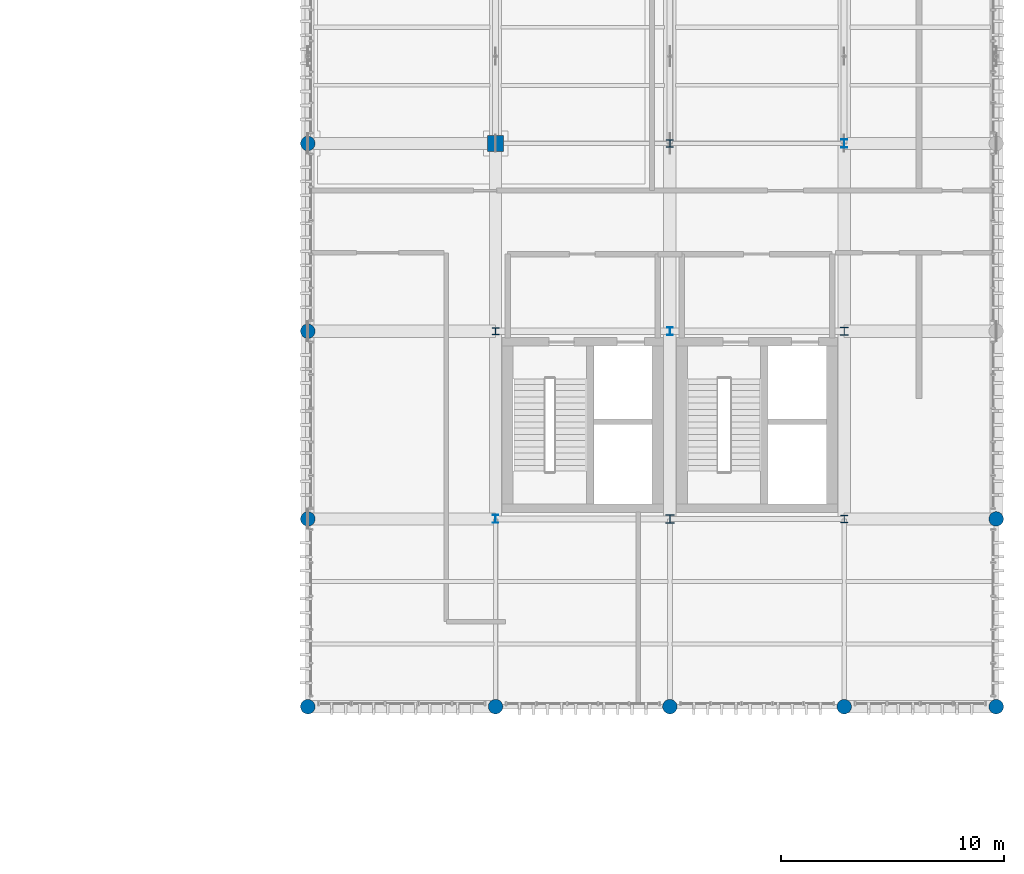
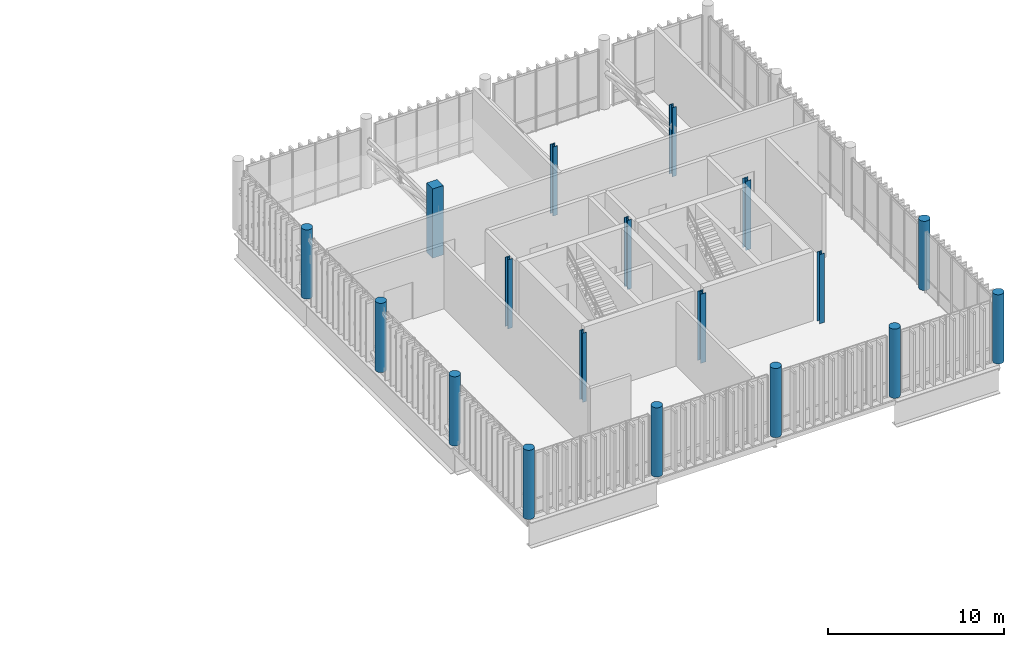
# One storey, part 4 of 81: 18 columns.
"""IFC4 building model written with IfcOpenShell, lengths in metres."""

import ifcopenshell
import ifcopenshell.guid

model = None  # the IFC model being written
_history = None  # IfcOwnerHistory: only IFC2X3 demands one
_inside = {}  # id of a spatial element -> (the spatial element, [elements in it])
_under = {}  # id of a project, library or spatial element -> (it, [spatial elements below it])
_declared = {}  # id of a project -> (the project, [libraries it declares])
_typed = {}  # id of a type object -> (the type object, [elements of that type])
_made_of = {}  # id of a material, layer set ... -> (it, [elements and type objects made of it])


def new_model(schema):
    """Start an empty IFC model of exactly this schema.

    Asked for "IFC4X3", IfcOpenShell would pick the latest addendum, in which some entities
    have other attributes; the version numbers below select the first issue.
    IFC2X3 requires an IfcOwnerHistory on every rooted entity: one is made here for all.
    """
    global model, _history
    if schema == "IFC4X3":
        model = ifcopenshell.file(schema_version=(4, 3, 0, 0))
    else:
        model = ifcopenshell.file(schema=schema)
    _inside.clear()
    _under.clear()
    _declared.clear()
    _typed.clear()
    _made_of.clear()
    _history = None
    if model.schema == "IFC2X3":
        org = make("IfcOrganization", Name="unknown")
        user = make(
            "IfcPersonAndOrganization",
            ThePerson=make("IfcPerson", FamilyName="unknown"),
            TheOrganization=org,
        )
        app = make(
            "IfcApplication",
            ApplicationDeveloper=org,
            Version="unknown",
            ApplicationFullName="unknown",
            ApplicationIdentifier="unknown",
        )
        _history = make(
            "IfcOwnerHistory",
            OwningUser=user,
            OwningApplication=app,
            ChangeAction="ADDED",
            CreationDate=0,
        )
    return model


def make(cls, **values):
    """One entity of the class cls with the attributes given. An attribute that is None is left unset."""
    return model.create_entity(
        cls, **{name: value for name, value in values.items() if value is not None}
    )


def rooted(cls, **values):
    """An entity with a GlobalId (a new one), such as an element, a storey or a relation."""
    return make(cls, GlobalId=ifcopenshell.guid.new(), OwnerHistory=_history, **values)


def si_unit(unit_type, name, prefix=None):
    """IfcSIUnit, for example si_unit("LENGTHUNIT", "METRE", prefix="MILLI")."""
    return make("IfcSIUnit", UnitType=unit_type, Prefix=prefix, Name=name)


def assignment(units):
    """IfcUnitAssignment: the units of a project."""
    return None if units is None else make("IfcUnitAssignment", Units=units)


def point(xyz):
    """IfcCartesianPoint."""
    return None if xyz is None else make("IfcCartesianPoint", Coordinates=xyz)


def direction(xyz):
    """IfcDirection."""
    return None if xyz is None else make("IfcDirection", DirectionRatios=xyz)


def frame(location, z_axis=None, x_axis=None):
    """IfcAxis2Placement3D, a coordinate frame: its origin and axes. An axis left out is left unset."""
    return make(
        "IfcAxis2Placement3D",
        Location=point(location),
        Axis=direction(z_axis),
        RefDirection=direction(x_axis),
    )


def frame_2d(location, x_axis=None):
    """IfcAxis2Placement2D, a coordinate frame in the plane: its origin and x axis."""
    return make(
        "IfcAxis2Placement2D", Location=point(location), RefDirection=direction(x_axis)
    )


def origin_with_axes():
    """The frame at (0, 0, 0) with the z axis (0, 0, 1) and the x axis (1, 0, 0) written out."""
    return frame((0.0, 0.0, 0.0), z_axis=(0.0, 0.0, 1.0), x_axis=(1.0, 0.0, 0.0))


def origin_2d_with_axis():
    """The frame at (0, 0) in the plane with the x axis (1, 0) written out."""
    return frame_2d((0.0, 0.0), x_axis=(1.0, 0.0))


def place(relative_to, where):
    """IfcLocalPlacement: puts the frame where relative to a parent placement (None: the world)."""
    return make(
        "IfcLocalPlacement", PlacementRelTo=relative_to, RelativePlacement=where
    )


def context(
    kind, dimensions, precision=None, world=None, true_north=None, identifier=None
):
    """IfcGeometricRepresentationContext, for example the 3D "Model" context."""
    return make(
        "IfcGeometricRepresentationContext",
        ContextIdentifier=identifier,
        ContextType=kind,
        CoordinateSpaceDimension=dimensions,
        Precision=precision,
        WorldCoordinateSystem=world,
        TrueNorth=true_north,
    )


def subcontext(parent, identifier, kind, view, scale=None):
    """IfcGeometricRepresentationSubContext, for example "Body" below "Model"."""
    return make(
        "IfcGeometricRepresentationSubContext",
        ContextIdentifier=identifier,
        ContextType=kind,
        ParentContext=parent,
        TargetScale=scale,
        TargetView=view,
    )


def project(units=None, contexts=None):
    """IfcProject with its units and contexts."""
    return rooted(
        "IfcProject",
        Name="project",
        RepresentationContexts=contexts,
        UnitsInContext=assignment(units),
    )


def spatial(cls, under=None, at=None, **own):
    """A site, building, storey or space (cls), placed at a placement, below another one or the project."""
    s = rooted(cls, ObjectPlacement=at, **own)
    if under is not None:
        _under.setdefault(under.id(), (under, []))[1].append(s)
    return s


def profile(cls, at=None, kind="AREA", **sizes):
    """A parametric profile (cls). Its sizes go by their IFC names, for example OverallWidth=200.0."""
    return make(cls, ProfileType=kind, Position=at, **sizes)


def rectangle(**sizes):
    """IfcRectangleProfileDef."""
    return profile("IfcRectangleProfileDef", **sizes)


def circle(**sizes):
    """IfcCircleProfileDef."""
    return profile("IfcCircleProfileDef", **sizes)


def i_section(**sizes):
    """IfcIShapeProfileDef."""
    return profile("IfcIShapeProfileDef", **sizes)


def extrude(swept, where, along, depth):
    """IfcExtrudedAreaSolid: the profile swept, set in the frame where, extruded along a direction by depth."""
    return make(
        "IfcExtrudedAreaSolid",
        SweptArea=swept,
        Position=where,
        ExtrudedDirection=direction(along),
        Depth=depth,
    )


def shape(context_of_items, identifier, shape_type, items):
    """IfcShapeRepresentation: the items that make up one representation, for example the "Body"."""
    return make(
        "IfcShapeRepresentation",
        ContextOfItems=context_of_items,
        RepresentationIdentifier=identifier,
        RepresentationType=shape_type,
        Items=items,
    )


def material(Name=None, Category=None):
    """IfcMaterial."""
    return make("IfcMaterial", Name=Name, Category=Category)


def material_profile(
    of_material, cross_section, Name=None, Category=None, Priority=None
):
    """IfcMaterialProfile: a cross section and its material."""
    return make(
        "IfcMaterialProfile",
        Name=Name,
        Material=of_material,
        Profile=cross_section,
        Priority=Priority,
        Category=Category,
    )


def profile_set(profiles, Name=None, composite=None):
    """IfcMaterialProfileSet."""
    return make(
        "IfcMaterialProfileSet",
        Name=Name,
        MaterialProfiles=profiles,
        CompositeProfile=composite,
    )


def made_of(thing, what):
    """Note that an element or type object is made of a material, layer set ...; save() writes the relation."""
    if what is not None:
        _made_of.setdefault(what.id(), (what, []))[1].append(thing)
    return thing


def type_object(cls, material=None, **own):
    """A type object (cls), such as IfcWallType, which elements share."""
    return made_of(rooted(cls, **own), material)


def element(
    cls,
    number,
    at=None,
    inside=None,
    cuts=None,
    type_object=None,
    material=None,
    context=None,
    identifier="Body",
    shape_type=None,
    held_by="IfcProductDefinitionShape",
    body=None,
    shapes=None,
    **own,
):
    """One element of the class cls, such as IfcWall. Its Tag is "e" and its number.

    at: its placement. inside: the storey or other place that contains it. cuts: it is an
    opening in that element (IfcRelVoidsElement). A single representation is given by context,
    identifier, shape_type and body (its items); several are given by shapes. held_by: the class
    of the entity that holds the representations. save() writes the other relations.
    """
    e = rooted(cls, Tag="e%d" % number, ObjectPlacement=at, **own)
    if body is not None:
        shapes = [shape(context, identifier, shape_type, body)]
    if shapes is not None:
        e.Representation = make(held_by, Representations=shapes)
    if inside is not None:
        _inside.setdefault(inside.id(), (inside, []))[1].append(e)
    if cuts is not None:
        rooted(
            "IfcRelVoidsElement", RelatingBuildingElement=cuts, RelatedOpeningElement=e
        )
    if type_object is not None:
        _typed.setdefault(type_object.id(), (type_object, []))[1].append(e)
    return made_of(e, material)


def aggregate(whole, parts):
    """IfcRelAggregates: a whole, such as a stair, and the parts it consists of."""
    return rooted("IfcRelAggregates", RelatingObject=whole, RelatedObjects=parts)


def save(model, path):
    """Write the relations noted so far, then the file.

    IfcRelAggregates (storeys below a building ...), IfcRelContainedInSpatialStructure (elements
    in a storey), IfcRelDefinesByType, IfcRelAssociatesMaterial and IfcRelDeclares: one each for
    every whole, place, type object, material and project.
    """
    for whole, parts in _under.values():
        aggregate(whole, parts)
    for where, things in _inside.values():
        rooted(
            "IfcRelContainedInSpatialStructure",
            RelatedElements=things,
            RelatingStructure=where,
        )
    for kind, things in _typed.values():
        rooted("IfcRelDefinesByType", RelatedObjects=things, RelatingType=kind)
    for what, things in _made_of.values():
        rooted("IfcRelAssociatesMaterial", RelatedObjects=things, RelatingMaterial=what)
    for by, libraries in _declared.values():
        rooted("IfcRelDeclares", RelatingContext=by, RelatedDefinitions=libraries)
    model.write(path)


model = new_model("IFC4")

# Units and contexts
model_context = context("Model", 3, precision=1e-05, world=origin_with_axes(), true_north=direction((0.0, 1.0)))
body_context = subcontext(model_context, "Body", "Model", "MODEL_VIEW")
ifc_project = project(units=[si_unit("LENGTHUNIT", "METRE"), si_unit("AREAUNIT", "SQUARE_METRE"), si_unit("VOLUMEUNIT", "CUBIC_METRE"), si_unit("PLANEANGLEUNIT", "RADIAN"), si_unit("MASSUNIT", "GRAM", prefix="KILO"), si_unit("THERMODYNAMICTEMPERATUREUNIT", "KELVIN")], contexts=[model_context])

# Site, building, storey
site_placement = place(None, origin_with_axes())
site = spatial("IfcSite", under=ifc_project, at=site_placement, CompositionType="ELEMENT")
building_placement = place(site_placement, origin_with_axes())
building = spatial("IfcBuilding", under=site, at=building_placement, Name="Montbau Bow Law Courts", CompositionType="ELEMENT")
storey_placement = place(building_placement, frame((0.0, 0.0, 24.9), z_axis=(0.0, 0.0, 1.0), x_axis=(1.0, 0.0, 0.0)))
storey = spatial("IfcBuildingStorey", under=building, at=storey_placement, Name="L05", CompositionType="ELEMENT", Elevation=24.9)

# Columns
ifc_material_1 = material(Name="Concrete CSA A23.1 f'c 40 MPa", Category="concrete")
ifc_material_profile_1 = material_profile(ifc_material_1, rectangle(XDim=0.7, YDim=0.7, at=origin_2d_with_axis()), Name="RC700X700", Category="Main", Priority=0)
ifc_profile_set_1 = profile_set([ifc_material_profile_1], Name="Concrete CSA A23.1 f'c 40 MPa")
column_type_1 = type_object("IfcColumnType", Name="C-RC-04", PredefinedType="COLUMN", material=ifc_profile_set_1)
column_placement = place(None, frame((147.0, 103.2, 24.9), z_axis=(0.0, 0.0, 1.0), x_axis=(1.0, 0.0, 0.0)))
element("IfcColumn", 1, at=column_placement, inside=storey, type_object=column_type_1, Name="C-L05-S0897:col2_0897", PredefinedType="COLUMN", context=body_context, shape_type="SweptSolid", body=[
    extrude(rectangle(XDim=0.7, YDim=0.7, at=origin_2d_with_axis()), origin_with_axes(), (0.0, 0.0, 1.0), 4.8),
])
ifc_material_profile_2 = material_profile(ifc_material_1, circle(Radius=0.325, at=origin_2d_with_axis()), Name="RC650D", Category="Main", Priority=0)
ifc_profile_set_2 = profile_set([ifc_material_profile_2], Name="Concrete CSA A23.1 f'c 40 MPa")
column_type_2 = type_object("IfcColumnType", Name="C-RC-08", PredefinedType="COLUMN", material=ifc_profile_set_2)
for number, where, z_axis, x_axis, name in (
    (2, (138.6, 78.0, 24.9), (0.0, 0.0, 1.0), (1.0, 0.0, 0.0), "C-L05-S0889:col2_0889"),
    (3, (138.6, 86.4, 24.9), (0.0, 0.0, 1.0), (1.0, 0.0, 0.0), "C-L05-S0890:col2_0890"),
    (4, (138.6, 94.8, 24.9), (0.0, 0.0, 1.0), (1.0, 0.0, 0.0), "C-L05-S0891:col2_0891"),
    (5, (138.6, 103.2, 24.9), (0.0, 0.0, 1.0), (1.0, 0.0, 0.0), "C-L05-S0892:col2_0892"),
    (6, (147.0, 78.0, 24.9), (0.0, 0.0, 1.0), (1.0, 0.0, 0.0), "C-L05-S0894:col2_0894"),
    (7, (154.8, 78.0, 24.9), (0.0, 0.0, 1.0), (1.0, 0.0, 0.0), "C-L05-S0899:col2_0899"),
    (8, (162.6, 78.0, 24.9), (0.0, 0.0, 1.0), (1.0, 0.0, 0.0), "C-L05-S0904:col2_0904"),
    (9, (169.4, 78.0, 24.9), (0.0, 0.0, 1.0), (1.0, 0.0, 0.0), "C-L05-S0909:col2_0909"),
    (10, (169.4, 86.4, 24.9), (0.0, 0.0, 1.0), (1.0, 0.0, 0.0), "C-L05-S0910:col2_0910"),
):
    element("IfcColumn", number, at=place(None, frame(where, z_axis=z_axis, x_axis=x_axis)), inside=storey, type_object=column_type_2, Name=name, PredefinedType="COLUMN", context=body_context, shape_type="SweptSolid", body=[
        extrude(circle(Radius=0.325, at=origin_2d_with_axis()), origin_with_axes(), (0.0, 0.0, 1.0), 4.8),
    ])
ifc_material_2 = material(Name="Steel CSA G40.21 Grade 350W (350 MPa)", Category="steel")
ifc_material_profile_3 = material_profile(ifc_material_2, i_section(OverallWidth=0.373, OverallDepth=0.368, WebThickness=0.015, FlangeThickness=0.0239, at=origin_2d_with_axis()), Name="W360X179", Category="Main", Priority=0)
ifc_profile_set_3 = profile_set([ifc_material_profile_3], Name="Steel CSA G40.21 Grade 350W (350 MPa)")
column_type_3 = type_object("IfcColumnType", Name="C-STL-04", PredefinedType="COLUMN", material=ifc_profile_set_3)
for number, where, z_axis, x_axis, name in (
    (11, (154.8, 86.4, 24.9), (0.0, 0.0, 1.0), (1.0, 0.0, 0.0), "C-L05-S0900:col2_0900"),
    (12, (162.6, 94.8, 24.9), (0.0, 0.0, 1.0), (1.0, 0.0, 0.0), "C-L05-S0906:col2_0906"),
):
    element("IfcColumn", number, at=place(None, frame(where, z_axis=z_axis, x_axis=x_axis)), inside=storey, type_object=column_type_3, Name=name, PredefinedType="COLUMN", context=body_context, shape_type="SweptSolid", body=[
        extrude(i_section(OverallWidth=0.373, OverallDepth=0.368, WebThickness=0.015, FlangeThickness=0.0239, at=origin_2d_with_axis()), origin_with_axes(), (0.0, 0.0, 1.0), 4.8),
    ])
ifc_material_profile_4 = material_profile(ifc_material_2, i_section(OverallWidth=0.257, OverallDepth=0.363, WebThickness=0.013, FlangeThickness=0.0217, at=origin_2d_with_axis()), Name="W360X122", Category="Main", Priority=0)
ifc_profile_set_4 = profile_set([ifc_material_profile_4], Name="Steel CSA G40.21 Grade 350W (350 MPa)")
column_type_4 = type_object("IfcColumnType", Name="C-STL-05", PredefinedType="COLUMN", material=ifc_profile_set_4)
for number, where, z_axis, x_axis, name in (
    (13, (147.0, 86.4, 24.9), (0.0, 0.0, 1.0), (1.0, 0.0, 0.0), "C-L05-S0895:col2_0895"),
    (14, (154.8, 94.8, 24.9), (0.0, 0.0, 1.0), (1.0, 0.0, 0.0), "C-L05-S0901:col2_0901"),
    (15, (162.6, 103.2, 24.9), (0.0, 0.0, 1.0), (1.0, 0.0, 0.0), "C-L05-S0907:col2_0907"),
):
    element("IfcColumn", number, at=place(None, frame(where, z_axis=z_axis, x_axis=x_axis)), inside=storey, type_object=column_type_4, Name=name, PredefinedType="COLUMN", context=body_context, shape_type="SweptSolid", body=[
        extrude(i_section(OverallWidth=0.257, OverallDepth=0.363, WebThickness=0.013, FlangeThickness=0.0217, at=origin_2d_with_axis()), origin_with_axes(), (0.0, 0.0, 1.0), 4.8),
    ])
ifc_material_profile_5 = material_profile(ifc_material_2, i_section(OverallWidth=0.309, OverallDepth=0.323, WebThickness=0.014, FlangeThickness=0.0229, at=origin_2d_with_axis()), Name="W310X143", Category="Main", Priority=0)
ifc_profile_set_5 = profile_set([ifc_material_profile_5], Name="Steel CSA G40.21 Grade 350W (350 MPa)")
column_type_5 = type_object("IfcColumnType", Name="C-STL-06", PredefinedType="COLUMN", material=ifc_profile_set_5)
for number, where, z_axis, x_axis, name in (
    (16, (147.0, 94.8, 24.9), (0.0, 0.0, 1.0), (1.0, 0.0, 0.0), "C-L05-S0896:col2_0896"),
    (17, (154.8, 103.2, 24.9), (0.0, 0.0, 1.0), (1.0, 0.0, 0.0), "C-L05-S0902:col2_0902"),
    (18, (162.6, 86.4, 24.9), (0.0, 0.0, 1.0), (1.0, 0.0, 0.0), "C-L05-S0905:col2_0905"),
):
    element("IfcColumn", number, at=place(None, frame(where, z_axis=z_axis, x_axis=x_axis)), inside=storey, type_object=column_type_5, Name=name, PredefinedType="COLUMN", context=body_context, shape_type="SweptSolid", body=[
        extrude(i_section(OverallWidth=0.309, OverallDepth=0.323, WebThickness=0.014, FlangeThickness=0.0229, at=origin_2d_with_axis()), origin_with_axes(), (0.0, 0.0, 1.0), 4.8),
    ])

save(model, "model.ifc")
